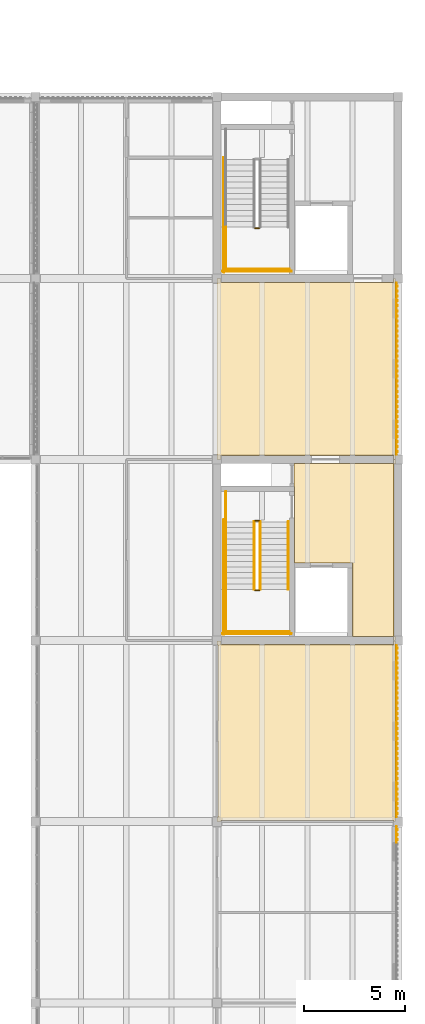
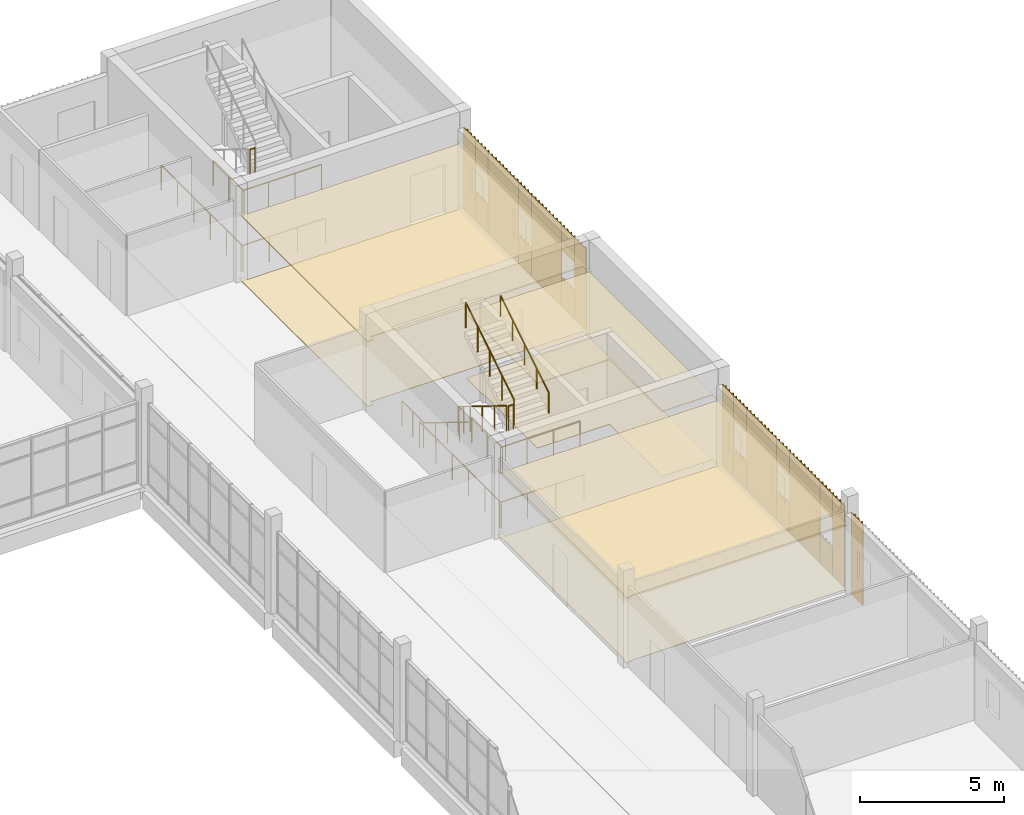
# One storey, part 81 of 88: 27 coverings, 16 railings.
"""IFC4 building model written with IfcOpenShell, lengths in metres."""

import ifcopenshell
import ifcopenshell.guid

model = None  # the IFC model being written
_history = None  # IfcOwnerHistory: only IFC2X3 demands one
_inside = {}  # id of a spatial element -> (the spatial element, [elements in it])
_under = {}  # id of a project, library or spatial element -> (it, [spatial elements below it])
_declared = {}  # id of a project -> (the project, [libraries it declares])
_typed = {}  # id of a type object -> (the type object, [elements of that type])
_made_of = {}  # id of a material, layer set ... -> (it, [elements and type objects made of it])


def new_model(schema):
    """Start an empty IFC model of exactly this schema.

    Asked for "IFC4X3", IfcOpenShell would pick the latest addendum, in which some entities
    have other attributes; the version numbers below select the first issue.
    IFC2X3 requires an IfcOwnerHistory on every rooted entity: one is made here for all.
    """
    global model, _history
    if schema == "IFC4X3":
        model = ifcopenshell.file(schema_version=(4, 3, 0, 0))
    else:
        model = ifcopenshell.file(schema=schema)
    _inside.clear()
    _under.clear()
    _declared.clear()
    _typed.clear()
    _made_of.clear()
    _history = None
    if model.schema == "IFC2X3":
        org = make("IfcOrganization", Name="unknown")
        user = make(
            "IfcPersonAndOrganization",
            ThePerson=make("IfcPerson", FamilyName="unknown"),
            TheOrganization=org,
        )
        app = make(
            "IfcApplication",
            ApplicationDeveloper=org,
            Version="unknown",
            ApplicationFullName="unknown",
            ApplicationIdentifier="unknown",
        )
        _history = make(
            "IfcOwnerHistory",
            OwningUser=user,
            OwningApplication=app,
            ChangeAction="ADDED",
            CreationDate=0,
        )
    return model


def make(cls, **values):
    """One entity of the class cls with the attributes given. An attribute that is None is left unset."""
    return model.create_entity(
        cls, **{name: value for name, value in values.items() if value is not None}
    )


def rooted(cls, **values):
    """An entity with a GlobalId (a new one), such as an element, a storey or a relation."""
    return make(cls, GlobalId=ifcopenshell.guid.new(), OwnerHistory=_history, **values)


def si_unit(unit_type, name, prefix=None):
    """IfcSIUnit, for example si_unit("LENGTHUNIT", "METRE", prefix="MILLI")."""
    return make("IfcSIUnit", UnitType=unit_type, Prefix=prefix, Name=name)


def assignment(units):
    """IfcUnitAssignment: the units of a project."""
    return None if units is None else make("IfcUnitAssignment", Units=units)


def point(xyz):
    """IfcCartesianPoint."""
    return None if xyz is None else make("IfcCartesianPoint", Coordinates=xyz)


def direction(xyz):
    """IfcDirection."""
    return None if xyz is None else make("IfcDirection", DirectionRatios=xyz)


def frame(location, z_axis=None, x_axis=None):
    """IfcAxis2Placement3D, a coordinate frame: its origin and axes. An axis left out is left unset."""
    return make(
        "IfcAxis2Placement3D",
        Location=point(location),
        Axis=direction(z_axis),
        RefDirection=direction(x_axis),
    )


def frame_2d(location, x_axis=None):
    """IfcAxis2Placement2D, a coordinate frame in the plane: its origin and x axis."""
    return make(
        "IfcAxis2Placement2D", Location=point(location), RefDirection=direction(x_axis)
    )


def origin():
    """The frame at (0, 0, 0) with its axes left unset."""
    return frame((0.0, 0.0, 0.0))


def origin_2d():
    """The frame at (0, 0) in the plane with its x axis left unset."""
    return frame_2d((0.0, 0.0))


def place(relative_to, where):
    """IfcLocalPlacement: puts the frame where relative to a parent placement (None: the world)."""
    return make(
        "IfcLocalPlacement", PlacementRelTo=relative_to, RelativePlacement=where
    )


def context(
    kind, dimensions, precision=None, world=None, true_north=None, identifier=None
):
    """IfcGeometricRepresentationContext, for example the 3D "Model" context."""
    return make(
        "IfcGeometricRepresentationContext",
        ContextIdentifier=identifier,
        ContextType=kind,
        CoordinateSpaceDimension=dimensions,
        Precision=precision,
        WorldCoordinateSystem=world,
        TrueNorth=true_north,
    )


def subcontext(parent, identifier, kind, view, scale=None):
    """IfcGeometricRepresentationSubContext, for example "Body" below "Model"."""
    return make(
        "IfcGeometricRepresentationSubContext",
        ContextIdentifier=identifier,
        ContextType=kind,
        ParentContext=parent,
        TargetScale=scale,
        TargetView=view,
    )


def project(units=None, contexts=None):
    """IfcProject with its units and contexts."""
    return rooted(
        "IfcProject",
        Name="project",
        RepresentationContexts=contexts,
        UnitsInContext=assignment(units),
    )


def spatial(cls, under=None, at=None, **own):
    """A site, building, storey or space (cls), placed at a placement, below another one or the project."""
    s = rooted(cls, ObjectPlacement=at, **own)
    if under is not None:
        _under.setdefault(under.id(), (under, []))[1].append(s)
    return s


def polyline(points):
    """IfcPolyline through the points."""
    return make("IfcPolyline", Points=[point(p) for p in points])


def profile(cls, at=None, kind="AREA", **sizes):
    """A parametric profile (cls). Its sizes go by their IFC names, for example OverallWidth=200.0."""
    return make(cls, ProfileType=kind, Position=at, **sizes)


def circle(**sizes):
    """IfcCircleProfileDef."""
    return profile("IfcCircleProfileDef", **sizes)


def outline(outer, holes=None, kind="AREA"):
    """IfcArbitraryClosedProfileDef: a profile drawn as a closed curve; with holes, ...WithVoids."""
    if holes is None:
        return make("IfcArbitraryClosedProfileDef", ProfileType=kind, OuterCurve=outer)
    return make(
        "IfcArbitraryProfileDefWithVoids",
        ProfileType=kind,
        OuterCurve=outer,
        InnerCurves=holes,
    )


def extrude(swept, where, along, depth):
    """IfcExtrudedAreaSolid: the profile swept, set in the frame where, extruded along a direction by depth."""
    return make(
        "IfcExtrudedAreaSolid",
        SweptArea=swept,
        Position=where,
        ExtrudedDirection=direction(along),
        Depth=depth,
    )


def shape(context_of_items, identifier, shape_type, items):
    """IfcShapeRepresentation: the items that make up one representation, for example the "Body"."""
    return make(
        "IfcShapeRepresentation",
        ContextOfItems=context_of_items,
        RepresentationIdentifier=identifier,
        RepresentationType=shape_type,
        Items=items,
    )


def source(mapping_origin, context_of_items, identifier, shape_type, items):
    """IfcRepresentationMap: a shape defined once, which mapped items show again and again."""
    return make(
        "IfcRepresentationMap",
        MappingOrigin=mapping_origin,
        MappedRepresentation=shape(context_of_items, identifier, shape_type, items),
    )


def transform(
    local_origin,
    x_axis=None,
    y_axis=None,
    z_axis=None,
    scale=None,
    scale2=None,
    scale3=None,
    uniform=True,
):
    """IfcCartesianTransformationOperator3D, or its non-uniform kind. x_axis, y_axis, z_axis: its Axis1, 2, 3."""
    if uniform:
        return make(
            "IfcCartesianTransformationOperator3D",
            Axis1=direction(x_axis),
            Axis2=direction(y_axis),
            LocalOrigin=point(local_origin),
            Scale=scale,
            Axis3=direction(z_axis),
        )
    return make(
        "IfcCartesianTransformationOperator3DnonUniform",
        Axis1=direction(x_axis),
        Axis2=direction(y_axis),
        LocalOrigin=point(local_origin),
        Scale=scale,
        Axis3=direction(z_axis),
        Scale2=scale2,
        Scale3=scale3,
    )


def mapped(mapping_source, mapping_target):
    """IfcMappedItem: shows the shape of a source again, moved by a transform."""
    return make(
        "IfcMappedItem", MappingSource=mapping_source, MappingTarget=mapping_target
    )


def material(Name=None, Category=None):
    """IfcMaterial."""
    return make("IfcMaterial", Name=Name, Category=Category)


def layer(
    of_material, thickness, ventilated=None, Name=None, Category=None, Priority=None
):
    """IfcMaterialLayer: one layer of a wall or slab, of a material (None: an air gap)."""
    return make(
        "IfcMaterialLayer",
        Material=of_material,
        LayerThickness=thickness,
        IsVentilated=ventilated,
        Name=Name,
        Category=Category,
        Priority=Priority,
    )


def layer_set(layers, Name=None):
    """IfcMaterialLayerSet."""
    return make("IfcMaterialLayerSet", MaterialLayers=layers, LayerSetName=Name)


def made_of(thing, what):
    """Note that an element or type object is made of a material, layer set ...; save() writes the relation."""
    if what is not None:
        _made_of.setdefault(what.id(), (what, []))[1].append(thing)
    return thing


def type_object(cls, material=None, **own):
    """A type object (cls), such as IfcWallType, which elements share."""
    return made_of(rooted(cls, **own), material)


def element(
    cls,
    number,
    at=None,
    inside=None,
    cuts=None,
    type_object=None,
    material=None,
    context=None,
    identifier="Body",
    shape_type=None,
    held_by="IfcProductDefinitionShape",
    body=None,
    shapes=None,
    **own,
):
    """One element of the class cls, such as IfcWall. Its Tag is "e" and its number.

    at: its placement. inside: the storey or other place that contains it. cuts: it is an
    opening in that element (IfcRelVoidsElement). A single representation is given by context,
    identifier, shape_type and body (its items); several are given by shapes. held_by: the class
    of the entity that holds the representations. save() writes the other relations.
    """
    e = rooted(cls, Tag="e%d" % number, ObjectPlacement=at, **own)
    if body is not None:
        shapes = [shape(context, identifier, shape_type, body)]
    if shapes is not None:
        e.Representation = make(held_by, Representations=shapes)
    if inside is not None:
        _inside.setdefault(inside.id(), (inside, []))[1].append(e)
    if cuts is not None:
        rooted(
            "IfcRelVoidsElement", RelatingBuildingElement=cuts, RelatedOpeningElement=e
        )
    if type_object is not None:
        _typed.setdefault(type_object.id(), (type_object, []))[1].append(e)
    return made_of(e, material)


def aggregate(whole, parts):
    """IfcRelAggregates: a whole, such as a stair, and the parts it consists of."""
    return rooted("IfcRelAggregates", RelatingObject=whole, RelatedObjects=parts)


def save(model, path):
    """Write the relations noted so far, then the file.

    IfcRelAggregates (storeys below a building ...), IfcRelContainedInSpatialStructure (elements
    in a storey), IfcRelDefinesByType, IfcRelAssociatesMaterial and IfcRelDeclares: one each for
    every whole, place, type object, material and project.
    """
    for whole, parts in _under.values():
        aggregate(whole, parts)
    for where, things in _inside.values():
        rooted(
            "IfcRelContainedInSpatialStructure",
            RelatedElements=things,
            RelatingStructure=where,
        )
    for kind, things in _typed.values():
        rooted("IfcRelDefinesByType", RelatedObjects=things, RelatingType=kind)
    for what, things in _made_of.values():
        rooted("IfcRelAssociatesMaterial", RelatedObjects=things, RelatingMaterial=what)
    for by, libraries in _declared.values():
        rooted("IfcRelDeclares", RelatingContext=by, RelatedDefinitions=libraries)
    model.write(path)


model = new_model("IFC4")

# Units and contexts
model_context = context("Model", 3, precision=1e-05, world=origin(), true_north=direction((0.0, 1.0)))
body_context = subcontext(model_context, "Body", "Model", "MODEL_VIEW")
ifc_project = project(units=[si_unit("LENGTHUNIT", "METRE"), si_unit("AREAUNIT", "SQUARE_METRE"), si_unit("VOLUMEUNIT", "CUBIC_METRE"), si_unit("PLANEANGLEUNIT", "RADIAN"), si_unit("MASSUNIT", "GRAM", prefix="KILO")], contexts=[model_context])

# Site, building, storey
site_placement = place(None, origin())
site = spatial("IfcSite", under=ifc_project, at=site_placement, CompositionType="ELEMENT")
building_placement = place(site_placement, origin())
building = spatial("IfcBuilding", under=site, at=building_placement, Name="Merrow Basin Faculty of Sciences", CompositionType="ELEMENT")
storey_placement = place(building_placement, frame((0.0, 0.0, 9.0)))
storey = spatial("IfcBuildingStorey", under=building, at=storey_placement, Name="L02", CompositionType="ELEMENT", Elevation=9.0)

# Coverings
ifc_material_1 = material(Name="Carpet tile floor")
ifc_layer_1 = layer(ifc_material_1, 0.02001953125)
ifc_layer_set_1 = layer_set([ifc_layer_1], Name="Carpet tile floor")
covering_type_1 = type_object("IfcCoveringType", Name="Carpet tile floor", PredefinedType="FLOORING", material=ifc_layer_set_1)
covering_1_placement = place(storey_placement, origin())
element("IfcCovering", 1, at=covering_1_placement, inside=storey, type_object=covering_type_1, Name="Floor finish L02-C-030", PredefinedType="FLOORING", context=body_context, shape_type="SweptSolid", body=[
    extrude(outline(polyline([(63.010009765625, 97.215087890625), (63.06005859375, 97.215087890625), (63.06005859375, 105.784912109375), (63.010009765625, 105.784912109375), (63.010009765625, 105.989990234375), (63.215087890625, 105.989990234375), (63.215087890625, 105.7900390625), (71.784912109375, 105.7900390625), (71.784912109375, 105.989990234375), (71.889892578125, 105.989990234375), (71.889892578125, 97.010009765625), (71.784912109375, 97.010009765625), (71.784912109375, 97.06005859375), (63.215087890625, 97.06005859375), (63.215087890625, 97.010009765625), (63.010009765625, 97.010009765625), (63.010009765625, 97.215087890625)])), origin(), (0.0, 0.0, 1.0), 0.02001953125),
])
ifc_material_2 = material(Name="Polished terrazzo floor")
ifc_layer_2 = layer(ifc_material_2, 0.02001953125)
ifc_layer_set_2 = layer_set([ifc_layer_2], Name="Polished terrazzo floor")
covering_type_2 = type_object("IfcCoveringType", Name="Polished terrazzo floor", PredefinedType="FLOORING", material=ifc_layer_set_2)
covering_2_placement = place(storey_placement, origin())
element("IfcCovering", 2, at=covering_2_placement, inside=storey, type_object=covering_type_2, Name="Floor finish L02-C-007", PredefinedType="FLOORING", context=body_context, shape_type="SweptSolid", body=[
    extrude(outline(polyline([(71.889892578125, 114.989990234375), (71.889892578125, 114.784912109375), (71.7900390625, 114.784912109375), (71.7900390625, 106.215087890625), (71.889892578125, 106.215087890625), (71.889892578125, 106.010009765625), (71.784912109375, 106.010009765625), (71.784912109375, 106.2099609375), (69.760009765625, 106.2099609375), (69.760009765625, 109.860107421875), (66.860107421875, 109.860107421875), (66.860107421875, 113.659912109375), (66.8349609375, 113.659912109375), (66.8349609375, 114.7900390625), (71.784912109375, 114.7900390625), (71.784912109375, 114.989990234375), (71.889892578125, 114.989990234375)])), origin(), (0.0, 0.0, 1.0), 0.02001953125),
])
covering_3_placement = place(storey_placement, origin())
element("IfcCovering", 3, at=covering_3_placement, inside=storey, type_object=covering_type_2, Name="Floor finish L02-C-019", PredefinedType="FLOORING", context=body_context, shape_type="SweptSolid", body=[
    extrude(outline(polyline([(63.010009765625, 123.989990234375), (63.215087890625, 123.989990234375), (63.215087890625, 123.7900390625), (71.784912109375, 123.7900390625), (71.784912109375, 123.989990234375), (71.889892578125, 123.989990234375), (71.889892578125, 115.010009765625), (71.784912109375, 115.010009765625), (71.784912109375, 115.2099609375), (63.215087890625, 115.2099609375), (63.215087890625, 115.010009765625), (63.010009765625, 115.010009765625), (63.010009765625, 123.989990234375)])), origin(), (0.0, 0.0, 1.0), 0.02001953125),
])

# Railings
ifc_material_3 = material(Name="Steel ASTM A36", Category="steel")
railing_type_1 = type_object("IfcRailingType", Name="Steel guard 1100", PredefinedType="GUARDRAIL", material=ifc_material_3)
railing_1_placement = place(storey_placement, frame((64.85009765625, 111.89990234375, 0.173095703125)))
element("IfcRailing", 4, at=railing_1_placement, inside=storey, type_object=railing_type_1, Name="L02 ST-V2-M stair guard 1", PredefinedType="GUARDRAIL", context=body_context, shape_type="SweptSolid", body=[
    extrude(circle(Radius=0.02392578125, at=origin_2d()), frame((0.0, 0.0, 1.076171875), z_axis=(0.0, -0.850606129759, 0.525803396734), x_axis=(1.0, 0.0, 0.0)), (0.0, 0.0, 1.0), 3.949951171875),
    extrude(circle(Radius=0.02099609375, at=origin_2d()), origin(), (0.0, 0.0, 1.0), 1.052001953125),
    extrude(circle(Radius=0.02099609375, at=origin_2d()), frame((0.0, -0.83984375, 0.519287109375)), (0.0, 0.0, 1.0), 1.052001953125),
    extrude(circle(Radius=0.02099609375, at=origin_2d()), frame((0.0, -1.679931640625, 1.03857421875)), (0.0, 0.0, 1.0), 1.052001953125),
    extrude(circle(Radius=0.02099609375, at=origin_2d()), frame((0.0, -2.52001953125, 1.5576171875)), (0.0, 0.0, 1.0), 1.052001953125),
    extrude(circle(Radius=0.02099609375, at=origin_2d()), frame((0.0, -3.35986328125, 2.076904296875)), (0.0, 0.0, 1.0), 1.052001953125),
])
railing_2_placement = place(storey_placement, frame((64.89990234375, 108.489990234375, 2.25)))
element("IfcRailing", 5, at=railing_2_placement, inside=storey, type_object=railing_type_1, Name="L02 ST-V2-M stair guard 2", PredefinedType="GUARDRAIL", context=body_context, shape_type="SweptSolid", body=[
    extrude(circle(Radius=0.02392578125, at=origin_2d()), frame((0.0, 0.0, 1.076171875), z_axis=(1.0, 0.0, 0.0), x_axis=(0.0, 1.0, 0.0)), (0.0, 0.0, 1.0), 0.2001953125),
    extrude(circle(Radius=0.02099609375, at=origin_2d()), origin(), (0.0, 0.0, 1.0), 1.052001953125),
    extrude(circle(Radius=0.02099609375, at=origin_2d()), frame((0.2001953125, 0.0, 0.0)), (0.0, 0.0, 1.0), 1.052001953125),
])
railing_3_placement = place(storey_placement, frame((63.449951171875, 108.5400390625, 2.25)))
element("IfcRailing", 6, at=railing_3_placement, inside=storey, type_object=railing_type_1, Name="L02 ST-V2-M stair guard 3", PredefinedType="GUARDRAIL", context=body_context, shape_type="SweptSolid", body=[
    extrude(circle(Radius=0.02392578125, at=origin_2d()), frame((0.0, 0.0, 1.076171875), z_axis=(0.0, -1.0, 0.0), x_axis=(1.0, 0.0, 0.0)), (0.0, 0.0, 1.0), 2.14013671875),
    extrude(circle(Radius=0.02099609375, at=origin_2d()), origin(), (0.0, 0.0, 1.0), 1.052001953125),
    extrude(circle(Radius=0.02099609375, at=origin_2d()), frame((0.0, -1.070068359375, 0.0)), (0.0, 0.0, 1.0), 1.052001953125),
    extrude(circle(Radius=0.02099609375, at=origin_2d()), frame((0.0, -2.14013671875, 0.0)), (0.0, 0.0, 1.0), 1.052001953125),
])
railing_4_placement = place(storey_placement, frame((63.39990234375, 106.449951171875, 2.25)))
element("IfcRailing", 7, at=railing_4_placement, inside=storey, type_object=railing_type_1, Name="L02 ST-V2-M stair guard 4", PredefinedType="GUARDRAIL", context=body_context, shape_type="SweptSolid", body=[
    extrude(circle(Radius=0.02392578125, at=origin_2d()), frame((0.0, 0.0, 1.076171875), z_axis=(1.0, 0.0, 0.0), x_axis=(0.0, 1.0, 0.0)), (0.0, 0.0, 1.0), 3.2001953125),
    extrude(circle(Radius=0.02099609375, at=origin_2d()), origin(), (0.0, 0.0, 1.0), 1.052001953125),
    extrude(circle(Radius=0.02099609375, at=origin_2d()), frame((1.066650390625, 0.0, 0.0)), (0.0, 0.0, 1.0), 1.052001953125),
    extrude(circle(Radius=0.02099609375, at=origin_2d()), frame((2.133544921875, 0.0, 0.0)), (0.0, 0.0, 1.0), 1.052001953125),
    extrude(circle(Radius=0.02099609375, at=origin_2d()), frame((3.2001953125, 0.0, 0.0)), (0.0, 0.0, 1.0), 1.052001953125),
])
railing_5_placement = place(storey_placement, frame((65.14990234375, 108.5400390625, 2.423095703125)))
element("IfcRailing", 8, at=railing_5_placement, inside=storey, type_object=railing_type_1, Name="L02 ST-V2-M stair guard 5", PredefinedType="GUARDRAIL", context=body_context, shape_type="SweptSolid", body=[
    extrude(circle(Radius=0.02392578125, at=origin_2d()), frame((0.0, 0.0, 1.076171875), z_axis=(0.0, 0.850606129759, 0.525803396734), x_axis=(-1.0, 0.0, 0.0)), (0.0, 0.0, 1.0), 3.949951171875),
    extrude(circle(Radius=0.02099609375, at=origin_2d()), origin(), (0.0, 0.0, 1.0), 1.052001953125),
    extrude(circle(Radius=0.02099609375, at=origin_2d()), frame((0.0, 0.83984375, 0.519287109375)), (0.0, 0.0, 1.0), 1.052001953125),
    extrude(circle(Radius=0.02099609375, at=origin_2d()), frame((0.0, 1.679931640625, 1.03857421875)), (0.0, 0.0, 1.0), 1.052001953125),
    extrude(circle(Radius=0.02099609375, at=origin_2d()), frame((0.0, 2.52001953125, 1.5576171875)), (0.0, 0.0, 1.0), 1.052001953125),
    extrude(circle(Radius=0.02099609375, at=origin_2d()), frame((0.0, 3.35986328125, 2.076904296875)), (0.0, 0.0, 1.0), 1.052001953125),
])
railing_6_placement = place(storey_placement, frame((64.89990234375, 111.949951171875, 0.0)))
element("IfcRailing", 9, at=railing_6_placement, inside=storey, type_object=railing_type_1, Name="L02 ST-V2-M stair guard 6", PredefinedType="GUARDRAIL", context=body_context, shape_type="SweptSolid", body=[
    extrude(circle(Radius=0.02392578125, at=origin_2d()), frame((0.0, 0.0, 1.076171875), z_axis=(1.0, 0.0, 0.0), x_axis=(0.0, 1.0, 0.0)), (0.0, 0.0, 1.0), 0.2001953125),
    extrude(circle(Radius=0.02099609375, at=origin_2d()), origin(), (0.0, 0.0, 1.0), 1.052001953125),
    extrude(circle(Radius=0.02099609375, at=origin_2d()), frame((0.2001953125, 0.0, 0.0)), (0.0, 0.0, 1.0), 1.052001953125),
])
railing_7_placement = place(storey_placement, frame((63.449951171875, 113.39990234375, 0.0)))
element("IfcRailing", 10, at=railing_7_placement, inside=storey, type_object=railing_type_1, Name="L02 ST-V2-M stair guard 7", PredefinedType="GUARDRAIL", context=body_context, shape_type="SweptSolid", body=[
    extrude(circle(Radius=0.02392578125, at=origin_2d()), frame((0.0, 0.0, 1.076171875), z_axis=(0.0, -1.0, 0.0), x_axis=(1.0, 0.0, 0.0)), (0.0, 0.0, 1.0), 1.5),
    extrude(circle(Radius=0.02099609375, at=origin_2d()), origin(), (0.0, 0.0, 1.0), 1.052001953125),
    extrude(circle(Radius=0.02099609375, at=origin_2d()), frame((0.0, -0.75, 0.0)), (0.0, 0.0, 1.0), 1.052001953125),
    extrude(circle(Radius=0.02099609375, at=origin_2d()), frame((0.0, -1.5, 0.0)), (0.0, 0.0, 1.0), 1.052001953125),
])
railing_8_placement = place(storey_placement, frame((63.35009765625, 112.0, 0.0)))
element("IfcRailing", 11, at=railing_8_placement, inside=storey, type_object=railing_type_1, Name="L02 ST-V2-M stair guard 8", PredefinedType="GUARDRAIL", context=body_context, shape_type="SweptSolid", body=[
    extrude(circle(Radius=0.02392578125, at=origin_2d()), frame((0.0, 0.0, 1.076171875), z_axis=(0.0, -1.0, 0.0), x_axis=(1.0, 0.0, 0.0)), (0.0, 0.0, 1.0), 5.699951171875),
    extrude(circle(Radius=0.02099609375, at=origin_2d()), origin(), (0.0, 0.0, 1.0), 1.052001953125),
    extrude(circle(Radius=0.02099609375, at=origin_2d()), frame((0.0, -1.139892578125, 0.0)), (0.0, 0.0, 1.0), 1.052001953125),
    extrude(circle(Radius=0.02099609375, at=origin_2d()), frame((0.0, -2.280029296875, 0.0)), (0.0, 0.0, 1.0), 1.052001953125),
    extrude(circle(Radius=0.02099609375, at=origin_2d()), frame((0.0, -3.419921875, 0.0)), (0.0, 0.0, 1.0), 1.052001953125),
    extrude(circle(Radius=0.02099609375, at=origin_2d()), frame((0.0, -4.56005859375, 0.0)), (0.0, 0.0, 1.0), 1.052001953125),
    extrude(circle(Radius=0.02099609375, at=origin_2d()), frame((0.0, -5.699951171875, 0.0)), (0.0, 0.0, 1.0), 1.052001953125),
])
railing_9_placement = place(storey_placement, frame((63.300048828125, 106.35009765625, 0.0)))
element("IfcRailing", 12, at=railing_9_placement, inside=storey, type_object=railing_type_1, Name="L02 ST-V2-M stair guard 9", PredefinedType="GUARDRAIL", context=body_context, shape_type="SweptSolid", body=[
    extrude(circle(Radius=0.02392578125, at=origin_2d()), frame((0.0, 0.0, 1.076171875), z_axis=(1.0, 0.0, 0.0), x_axis=(0.0, 1.0, 0.0)), (0.0, 0.0, 1.0), 3.39990234375),
    extrude(circle(Radius=0.02099609375, at=origin_2d()), origin(), (0.0, 0.0, 1.0), 1.052001953125),
    extrude(circle(Radius=0.02099609375, at=origin_2d()), frame((1.13330078125, 0.0, 0.0)), (0.0, 0.0, 1.0), 1.052001953125),
    extrude(circle(Radius=0.02099609375, at=origin_2d()), frame((2.2666015625, 0.0, 0.0)), (0.0, 0.0, 1.0), 1.052001953125),
    extrude(circle(Radius=0.02099609375, at=origin_2d()), frame((3.39990234375, 0.0, 0.0)), (0.0, 0.0, 1.0), 1.052001953125),
])
railing_10_placement = place(storey_placement, frame((64.89990234375, 126.489990234375, 2.25)))
element("IfcRailing", 13, at=railing_10_placement, inside=storey, type_object=railing_type_1, Name="L02 ST-V2-N stair guard 2", PredefinedType="GUARDRAIL", context=body_context, shape_type="SweptSolid", body=[
    extrude(circle(Radius=0.02392578125, at=origin_2d()), frame((0.0, 0.0, 1.076171875), z_axis=(1.0, 0.0, 0.0), x_axis=(0.0, 1.0, 0.0)), (0.0, 0.0, 1.0), 0.2001953125),
    extrude(circle(Radius=0.02099609375, at=origin_2d()), origin(), (0.0, 0.0, 1.0), 1.052001953125),
    extrude(circle(Radius=0.02099609375, at=origin_2d()), frame((0.2001953125, 0.0, 0.0)), (0.0, 0.0, 1.0), 1.052001953125),
])
railing_11_placement = place(storey_placement, frame((63.449951171875, 126.5400390625, 2.25)))
element("IfcRailing", 14, at=railing_11_placement, inside=storey, type_object=railing_type_1, Name="L02 ST-V2-N stair guard 3", PredefinedType="GUARDRAIL", context=body_context, shape_type="SweptSolid", body=[
    extrude(circle(Radius=0.02392578125, at=origin_2d()), frame((0.0, 0.0, 1.076171875), z_axis=(0.0, -1.0, 0.0), x_axis=(1.0, 0.0, 0.0)), (0.0, 0.0, 1.0), 2.14013671875),
    extrude(circle(Radius=0.02099609375, at=origin_2d()), origin(), (0.0, 0.0, 1.0), 1.052001953125),
    extrude(circle(Radius=0.02099609375, at=origin_2d()), frame((0.0, -1.070068359375, 0.0)), (0.0, 0.0, 1.0), 1.052001953125),
    extrude(circle(Radius=0.02099609375, at=origin_2d()), frame((0.0, -2.14013671875, 0.0)), (0.0, 0.0, 1.0), 1.052001953125),
])
railing_12_placement = place(storey_placement, frame((63.39990234375, 124.449951171875, 2.25)))
element("IfcRailing", 15, at=railing_12_placement, inside=storey, type_object=railing_type_1, Name="L02 ST-V2-N stair guard 4", PredefinedType="GUARDRAIL", context=body_context, shape_type="SweptSolid", body=[
    extrude(circle(Radius=0.02392578125, at=origin_2d()), frame((0.0, 0.0, 1.076171875), z_axis=(1.0, 0.0, 0.0), x_axis=(0.0, 1.0, 0.0)), (0.0, 0.0, 1.0), 3.2001953125),
    extrude(circle(Radius=0.02099609375, at=origin_2d()), origin(), (0.0, 0.0, 1.0), 1.052001953125),
    extrude(circle(Radius=0.02099609375, at=origin_2d()), frame((1.066650390625, 0.0, 0.0)), (0.0, 0.0, 1.0), 1.052001953125),
    extrude(circle(Radius=0.02099609375, at=origin_2d()), frame((2.133544921875, 0.0, 0.0)), (0.0, 0.0, 1.0), 1.052001953125),
    extrude(circle(Radius=0.02099609375, at=origin_2d()), frame((3.2001953125, 0.0, 0.0)), (0.0, 0.0, 1.0), 1.052001953125),
])
railing_13_placement = place(storey_placement, frame((63.35009765625, 130.0, 0.0)))
element("IfcRailing", 16, at=railing_13_placement, inside=storey, type_object=railing_type_1, Name="L02 ST-V2-N stair guard 8", PredefinedType="GUARDRAIL", context=body_context, shape_type="SweptSolid", body=[
    extrude(circle(Radius=0.02392578125, at=origin_2d()), frame((0.0, 0.0, 1.076171875), z_axis=(0.0, -1.0, 0.0), x_axis=(1.0, 0.0, 0.0)), (0.0, 0.0, 1.0), 5.699951171875),
    extrude(circle(Radius=0.02099609375, at=origin_2d()), origin(), (0.0, 0.0, 1.0), 1.052001953125),
    extrude(circle(Radius=0.02099609375, at=origin_2d()), frame((0.0, -1.139892578125, 0.0)), (0.0, 0.0, 1.0), 1.052001953125),
    extrude(circle(Radius=0.02099609375, at=origin_2d()), frame((0.0, -2.280029296875, 0.0)), (0.0, 0.0, 1.0), 1.052001953125),
    extrude(circle(Radius=0.02099609375, at=origin_2d()), frame((0.0, -3.419921875, 0.0)), (0.0, 0.0, 1.0), 1.052001953125),
    extrude(circle(Radius=0.02099609375, at=origin_2d()), frame((0.0, -4.56005859375, 0.0)), (0.0, 0.0, 1.0), 1.052001953125),
    extrude(circle(Radius=0.02099609375, at=origin_2d()), frame((0.0, -5.699951171875, 0.0)), (0.0, 0.0, 1.0), 1.052001953125),
])
railing_14_placement = place(storey_placement, frame((63.300048828125, 124.35009765625, 0.0)))
element("IfcRailing", 17, at=railing_14_placement, inside=storey, type_object=railing_type_1, Name="L02 ST-V2-N stair guard 9", PredefinedType="GUARDRAIL", context=body_context, shape_type="SweptSolid", body=[
    extrude(circle(Radius=0.02392578125, at=origin_2d()), frame((0.0, 0.0, 1.076171875), z_axis=(1.0, 0.0, 0.0), x_axis=(0.0, 1.0, 0.0)), (0.0, 0.0, 1.0), 3.39990234375),
    extrude(circle(Radius=0.02099609375, at=origin_2d()), origin(), (0.0, 0.0, 1.0), 1.052001953125),
    extrude(circle(Radius=0.02099609375, at=origin_2d()), frame((1.13330078125, 0.0, 0.0)), (0.0, 0.0, 1.0), 1.052001953125),
    extrude(circle(Radius=0.02099609375, at=origin_2d()), frame((2.2666015625, 0.0, 0.0)), (0.0, 0.0, 1.0), 1.052001953125),
    extrude(circle(Radius=0.02099609375, at=origin_2d()), frame((3.39990234375, 0.0, 0.0)), (0.0, 0.0, 1.0), 1.052001953125),
])
ifc_material_4 = material(Name="Steel ASTM A36", Category="steel")
railing_type_2 = type_object("IfcRailingType", Name="Steel handrail 900", PredefinedType="HANDRAIL", material=ifc_material_4)
railing_15_placement = place(storey_placement, frame((63.449951171875, 111.89990234375, 0.173095703125)))
element("IfcRailing", 18, at=railing_15_placement, inside=storey, type_object=railing_type_2, Name="L02 ST-V2-M stair handrail 1", PredefinedType="HANDRAIL", context=body_context, shape_type="SweptSolid", body=[
    extrude(circle(Radius=0.02392578125, at=origin_2d()), frame((0.0, 0.0, 0.8759765625), z_axis=(0.0, -0.850606129759, 0.525803396734), x_axis=(1.0, 0.0, 0.0)), (0.0, 0.0, 1.0), 3.949951171875),
    extrude(circle(Radius=0.02099609375, at=origin_2d()), origin(), (0.0, 0.0, 1.0), 0.851806640625),
    extrude(circle(Radius=0.02099609375, at=origin_2d()), frame((0.0, -0.83984375, 0.519287109375)), (0.0, 0.0, 1.0), 0.851806640625),
    extrude(circle(Radius=0.02099609375, at=origin_2d()), frame((0.0, -1.679931640625, 1.03857421875)), (0.0, 0.0, 1.0), 0.851806640625),
    extrude(circle(Radius=0.02099609375, at=origin_2d()), frame((0.0, -2.52001953125, 1.5576171875)), (0.0, 0.0, 1.0), 0.851806640625),
    extrude(circle(Radius=0.02099609375, at=origin_2d()), frame((0.0, -3.35986328125, 2.076904296875)), (0.0, 0.0, 1.0), 0.851806640625),
])
railing_16_placement = place(storey_placement, frame((66.550048828125, 108.5400390625, 2.423095703125)))
element("IfcRailing", 19, at=railing_16_placement, inside=storey, type_object=railing_type_2, Name="L02 ST-V2-M stair handrail 2", PredefinedType="HANDRAIL", context=body_context, shape_type="SweptSolid", body=[
    extrude(circle(Radius=0.02392578125, at=origin_2d()), frame((0.0, 0.0, 0.8759765625), z_axis=(0.0, 0.850606129759, 0.525803396734), x_axis=(-1.0, 0.0, 0.0)), (0.0, 0.0, 1.0), 3.949951171875),
    extrude(circle(Radius=0.02099609375, at=origin_2d()), origin(), (0.0, 0.0, 1.0), 0.851806640625),
    extrude(circle(Radius=0.02099609375, at=origin_2d()), frame((0.0, 0.83984375, 0.519287109375)), (0.0, 0.0, 1.0), 0.851806640625),
    extrude(circle(Radius=0.02099609375, at=origin_2d()), frame((0.0, 1.679931640625, 1.03857421875)), (0.0, 0.0, 1.0), 0.851806640625),
    extrude(circle(Radius=0.02099609375, at=origin_2d()), frame((0.0, 2.52001953125, 1.5576171875)), (0.0, 0.0, 1.0), 0.851806640625),
    extrude(circle(Radius=0.02099609375, at=origin_2d()), frame((0.0, 3.35986328125, 2.076904296875)), (0.0, 0.0, 1.0), 0.851806640625),
])

# Coverings
ifc_material_5 = material(Name="Mineral fibre ceiling tile")
ifc_layer_3 = layer(ifc_material_5, 0.050048828125)
ifc_layer_set_3 = layer_set([ifc_layer_3], Name="Suspended acoustic ceiling tile")
covering_type_3 = type_object("IfcCoveringType", Name="Suspended acoustic ceiling tile", PredefinedType="CEILING", material=ifc_layer_set_3)
covering_4_placement = place(storey_placement, frame((0.0, 0.0, 2.75)))
element("IfcCovering", 20, at=covering_4_placement, inside=storey, type_object=covering_type_3, Name="Ceiling L02-C-007", PredefinedType="CEILING", context=body_context, shape_type="SweptSolid", body=[
    extrude(outline(polyline([(71.89990234375, 115.0), (71.89990234375, 114.77490234375), (71.800048828125, 114.77490234375), (71.800048828125, 106.22509765625), (71.89990234375, 106.22509765625), (71.89990234375, 106.0), (71.77490234375, 106.0), (71.77490234375, 106.199951171875), (69.75, 106.199951171875), (69.75, 109.85009765625), (66.85009765625, 109.85009765625), (66.85009765625, 113.64990234375), (66.824951171875, 113.64990234375), (66.824951171875, 114.800048828125), (71.77490234375, 114.800048828125), (71.77490234375, 115.0), (71.89990234375, 115.0)])), origin(), (0.0, 0.0, 1.0), 0.050048828125),
])
covering_5_placement = place(storey_placement, frame((0.0, 0.0, 2.75)))
element("IfcCovering", 21, at=covering_5_placement, inside=storey, type_object=covering_type_3, Name="Ceiling L02-C-019", PredefinedType="CEILING", context=body_context, shape_type="SweptSolid", body=[
    extrude(outline(polyline([(63.0, 124.0), (63.22509765625, 124.0), (63.22509765625, 123.800048828125), (71.77490234375, 123.800048828125), (71.77490234375, 124.0), (71.89990234375, 124.0), (71.89990234375, 115.0), (71.77490234375, 115.0), (71.77490234375, 115.199951171875), (63.22509765625, 115.199951171875), (63.22509765625, 115.0), (63.0, 115.0), (63.0, 124.0)])), origin(), (0.0, 0.0, 1.0), 0.050048828125),
])
covering_6_placement = place(storey_placement, frame((0.0, 0.0, 2.75)))
element("IfcCovering", 22, at=covering_6_placement, inside=storey, type_object=covering_type_3, Name="Ceiling L02-C-030", PredefinedType="CEILING", context=body_context, shape_type="SweptSolid", body=[
    extrude(outline(polyline([(63.0, 97.22509765625), (63.050048828125, 97.22509765625), (63.050048828125, 105.77490234375), (63.0, 105.77490234375), (63.0, 106.0), (63.22509765625, 106.0), (63.22509765625, 105.800048828125), (71.77490234375, 105.800048828125), (71.77490234375, 106.0), (71.89990234375, 106.0), (71.89990234375, 97.0), (71.77490234375, 97.0), (71.77490234375, 97.050048828125), (63.22509765625, 97.050048828125), (63.22509765625, 97.0), (63.0, 97.0), (63.0, 97.22509765625)])), origin(), (0.0, 0.0, 1.0), 0.050048828125),
])
ifc_material_6 = material(Name="Larch timber", Category="wood")
ifc_layer_4 = layer(ifc_material_6, 0.0849609375)
ifc_layer_set_4 = layer_set([ifc_layer_4], Name="Larch batten cladding 85")
covering_type_4 = type_object("IfcCoveringType", Name="Larch batten cladding 85", PredefinedType="CLADDING", material=ifc_layer_set_4)
shared_shape_1 = source(origin(), body_context, "Body", "SweptSolid", [
    extrude(outline(polyline([(0.0, 0.0), (0.89990234375, 0.0), (0.89990234375, 0.02490234375), (0.85009765625, 0.02490234375), (0.85009765625, 0.0849609375), (0.800048828125, 0.0849609375), (0.800048828125, 0.02490234375), (0.60009765625, 0.02490234375), (0.60009765625, 0.0849609375), (0.550048828125, 0.0849609375), (0.550048828125, 0.02490234375), (0.35009765625, 0.02490234375), (0.35009765625, 0.0849609375), (0.300048828125, 0.0849609375), (0.300048828125, 0.02490234375), (0.10009765625, 0.02490234375), (0.10009765625, 0.0849609375), (0.050048828125, 0.0849609375), (0.050048828125, 0.02490234375), (0.0, 0.02490234375), (0.0, 0.0)])), origin(), (0.0, 0.0, 1.0), 1.199951171875),
])
for number, where, z_axis, x_axis, name in (
    (23, (71.916015625, 104.949951171875, 0.0), (0.0, 0.0, 1.0), (0.0, -1.0, 0.0), "Larch batten cladding"),
    (24, (71.916015625, 101.949951171875, 0.0), (0.0, 0.0, 1.0), (0.0, -1.0, 0.0), "Larch batten cladding"),
    (25, (71.916015625, 98.949951171875, 0.0), (0.0, 0.0, 1.0), (0.0, -1.0, 0.0), "Larch batten cladding"),
    (26, (71.916015625, 122.949951171875, 0.0), (0.0, 0.0, 1.0), (0.0, -1.0, 0.0), "Larch batten cladding"),
    (27, (71.916015625, 119.949951171875, 0.0), (0.0, 0.0, 1.0), (0.0, -1.0, 0.0), "Larch batten cladding"),
    (28, (71.916015625, 116.949951171875, 0.0), (0.0, 0.0, 1.0), (0.0, -1.0, 0.0), "Larch batten cladding"),
):
    element("IfcCovering", number, at=place(storey_placement, frame(where, z_axis=z_axis, x_axis=x_axis)), inside=storey, type_object=covering_type_4, Name=name, PredefinedType="CLADDING", context=body_context, shape_type="MappedRepresentation", body=[
        mapped(shared_shape_1, transform((0.0, 0.0, 0.0), scale=1.0)),
    ])
shared_shape_2 = source(origin(), body_context, "Body", "SweptSolid", [
    extrude(outline(polyline([(0.0, 0.0), (0.89990234375, 0.0), (0.89990234375, 0.02490234375), (0.85009765625, 0.02490234375), (0.85009765625, 0.0849609375), (0.800048828125, 0.0849609375), (0.800048828125, 0.02490234375), (0.60009765625, 0.02490234375), (0.60009765625, 0.0849609375), (0.550048828125, 0.0849609375), (0.550048828125, 0.02490234375), (0.35009765625, 0.02490234375), (0.35009765625, 0.0849609375), (0.300048828125, 0.0849609375), (0.300048828125, 0.02490234375), (0.10009765625, 0.02490234375), (0.10009765625, 0.0849609375), (0.050048828125, 0.0849609375), (0.050048828125, 0.02490234375), (0.0, 0.02490234375), (0.0, 0.0)])), origin(), (0.0, 0.0, 1.0), 1.050048828125),
])
for number, where, z_axis, x_axis, name in (
    (29, (71.916015625, 104.949951171875, 2.39990234375), (0.0, 0.0, 1.0), (0.0, -1.0, 0.0), "Larch batten cladding"),
    (30, (71.916015625, 101.949951171875, 2.39990234375), (0.0, 0.0, 1.0), (0.0, -1.0, 0.0), "Larch batten cladding"),
    (31, (71.916015625, 98.949951171875, 2.39990234375), (0.0, 0.0, 1.0), (0.0, -1.0, 0.0), "Larch batten cladding"),
    (32, (71.916015625, 122.949951171875, 2.39990234375), (0.0, 0.0, 1.0), (0.0, -1.0, 0.0), "Larch batten cladding"),
    (33, (71.916015625, 119.949951171875, 2.39990234375), (0.0, 0.0, 1.0), (0.0, -1.0, 0.0), "Larch batten cladding"),
    (34, (71.916015625, 116.949951171875, 2.39990234375), (0.0, 0.0, 1.0), (0.0, -1.0, 0.0), "Larch batten cladding"),
):
    element("IfcCovering", number, at=place(storey_placement, frame(where, z_axis=z_axis, x_axis=x_axis)), inside=storey, type_object=covering_type_4, Name=name, PredefinedType="CLADDING", context=body_context, shape_type="MappedRepresentation", body=[
        mapped(shared_shape_2, transform((0.0, 0.0, 0.0), scale=1.0)),
    ])
shared_shape_3 = source(origin(), body_context, "Body", "SweptSolid", [
    extrude(outline(polyline([(0.0, 0.0), (0.824951171875, 0.0), (0.824951171875, 0.02490234375), (0.68798828125, 0.02490234375), (0.68798828125, 0.0849609375), (0.637939453125, 0.0849609375), (0.637939453125, 0.02490234375), (0.43798828125, 0.02490234375), (0.43798828125, 0.0849609375), (0.387939453125, 0.0849609375), (0.387939453125, 0.02490234375), (0.18798828125, 0.02490234375), (0.18798828125, 0.0849609375), (0.137939453125, 0.0849609375), (0.137939453125, 0.02490234375), (0.0, 0.02490234375), (0.0, 0.0)])), origin(), (0.0, 0.0, 1.0), 3.449951171875),
])
for number, where, z_axis, x_axis, name in (
    (35, (71.916015625, 96.77490234375, 0.0), (0.0, 0.0, 1.0), (0.0, -1.0, 0.0), "Larch batten cladding"),
    (36, (71.916015625, 105.77490234375, 0.0), (0.0, 0.0, 1.0), (0.0, -1.0, 0.0), "Larch batten cladding"),
    (37, (71.916015625, 98.050048828125, 0.0), (0.0, 0.0, 1.0), (0.0, -1.0, 0.0), "Larch batten cladding"),
    (38, (71.916015625, 123.77490234375, 0.0), (0.0, 0.0, 1.0), (0.0, -1.0, 0.0), "Larch batten cladding"),
    (39, (71.916015625, 116.050048828125, 0.0), (0.0, 0.0, 1.0), (0.0, -1.0, 0.0), "Larch batten cladding"),
):
    element("IfcCovering", number, at=place(storey_placement, frame(where, z_axis=z_axis, x_axis=x_axis)), inside=storey, type_object=covering_type_4, Name=name, PredefinedType="CLADDING", context=body_context, shape_type="MappedRepresentation", body=[
        mapped(shared_shape_3, transform((0.0, 0.0, 0.0), scale=1.0)),
    ])
shared_shape_4 = source(origin(), body_context, "Body", "SweptSolid", [
    extrude(outline(polyline([(0.0, 0.0), (2.10009765625, 0.0), (2.10009765625, 0.02490234375), (1.949951171875, 0.02490234375), (1.949951171875, 0.0849609375), (1.89990234375, 0.0849609375), (1.89990234375, 0.02490234375), (1.699951171875, 0.02490234375), (1.699951171875, 0.0849609375), (1.64990234375, 0.0849609375), (1.64990234375, 0.02490234375), (1.449951171875, 0.02490234375), (1.449951171875, 0.0849609375), (1.39990234375, 0.0849609375), (1.39990234375, 0.02490234375), (1.199951171875, 0.02490234375), (1.199951171875, 0.0849609375), (1.14990234375, 0.0849609375), (1.14990234375, 0.02490234375), (0.949951171875, 0.02490234375), (0.949951171875, 0.0849609375), (0.89990234375, 0.0849609375), (0.89990234375, 0.02490234375), (0.699951171875, 0.02490234375), (0.699951171875, 0.0849609375), (0.64990234375, 0.0849609375), (0.64990234375, 0.02490234375), (0.449951171875, 0.02490234375), (0.449951171875, 0.0849609375), (0.39990234375, 0.0849609375), (0.39990234375, 0.02490234375), (0.199951171875, 0.02490234375), (0.199951171875, 0.0849609375), (0.14990234375, 0.0849609375), (0.14990234375, 0.02490234375), (0.0, 0.02490234375), (0.0, 0.0)])), origin(), (0.0, 0.0, 1.0), 3.449951171875),
])
for number, where, z_axis, x_axis, name in (
    (40, (71.916015625, 104.050048828125, 0.0), (0.0, 0.0, 1.0), (0.0, -1.0, 0.0), "Larch batten cladding"),
    (41, (71.916015625, 101.050048828125, 0.0), (0.0, 0.0, 1.0), (0.0, -1.0, 0.0), "Larch batten cladding"),
    (42, (71.916015625, 122.050048828125, 0.0), (0.0, 0.0, 1.0), (0.0, -1.0, 0.0), "Larch batten cladding"),
    (43, (71.916015625, 119.050048828125, 0.0), (0.0, 0.0, 1.0), (0.0, -1.0, 0.0), "Larch batten cladding"),
):
    element("IfcCovering", number, at=place(storey_placement, frame(where, z_axis=z_axis, x_axis=x_axis)), inside=storey, type_object=covering_type_4, Name=name, PredefinedType="CLADDING", context=body_context, shape_type="MappedRepresentation", body=[
        mapped(shared_shape_4, transform((0.0, 0.0, 0.0), scale=1.0)),
    ])

save(model, "model.ifc")
